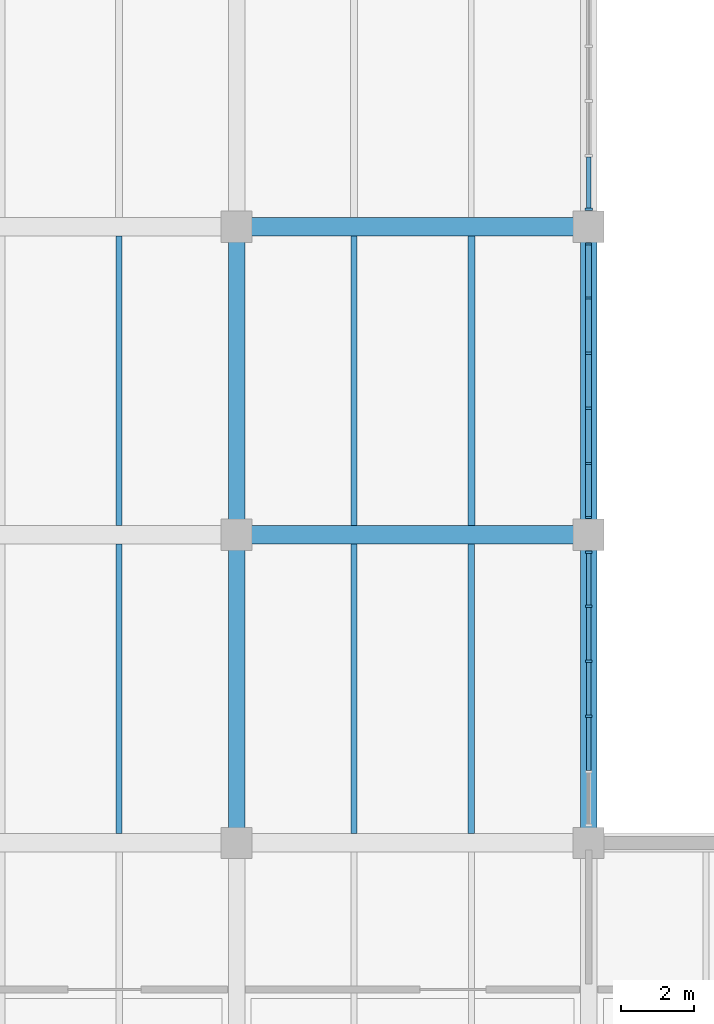
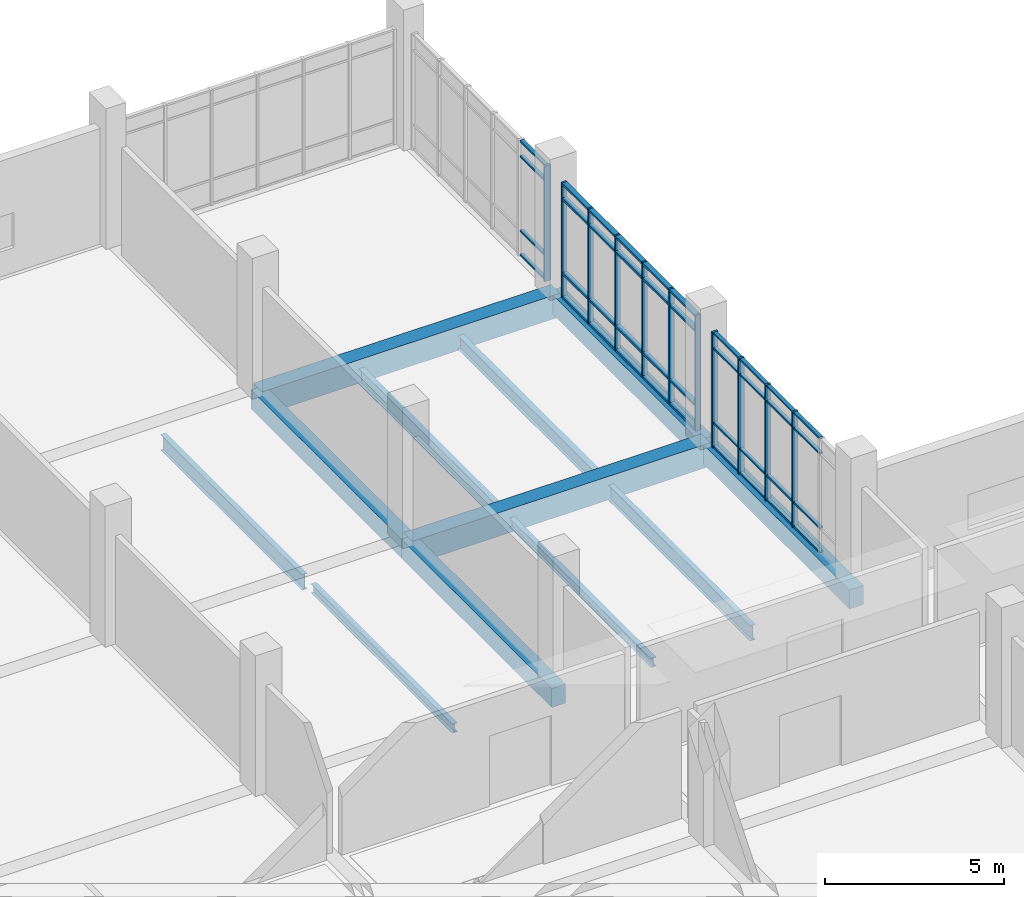
# One storey, part 39 of 152: 51 members, 12 beams, 3 elements without a shape of their own.
"""IFC4 building model written with IfcOpenShell, lengths in metres."""

from ifc_helpers import new_model, si_unit, direction, frame, origin, origin_2d, place, context, subcontext, project, spatial, rectangle, i_section, extrude, material, material_profile, profile_set, type_object, element, aggregate, save


model = new_model("IFC4")

# Units and contexts
model_context = context("Model", 3, precision=1e-05, world=origin(), true_north=direction((0.0, 1.0)))
body_context = subcontext(model_context, "Body", "Model", "MODEL_VIEW")
ifc_project = project(units=[si_unit("LENGTHUNIT", "METRE"), si_unit("AREAUNIT", "SQUARE_METRE"), si_unit("VOLUMEUNIT", "CUBIC_METRE"), si_unit("PLANEANGLEUNIT", "RADIAN"), si_unit("MASSUNIT", "GRAM", prefix="KILO")], contexts=[model_context])

# Site, building, storey
site_placement = place(None, origin())
site = spatial("IfcSite", under=ifc_project, at=site_placement, CompositionType="ELEMENT")
building_placement = place(site_placement, origin())
building = spatial("IfcBuilding", under=site, at=building_placement, Name="Oolite Switchyard Hospital", CompositionType="ELEMENT")
storey_placement = place(building_placement, frame((0.0, 0.0, 5.10009765625)))
storey = spatial("IfcBuildingStorey", under=building, at=storey_placement, Name="L01", CompositionType="ELEMENT", Elevation=5.10009765625)

# Beams
ifc_material_1 = material(Name="Concrete C40/50", Category="concrete")
ifc_material_profile_1 = material_profile(ifc_material_1, rectangle(XDim=0.449951171875, YDim=0.64990234375, at=origin_2d()), Name="RCB450X650")
ifc_profile_set_1 = profile_set([ifc_material_profile_1], Name="Concrete C40/50")
beam_type_1 = type_object("IfcBeamType", Name="BM-RC450X650", PredefinedType="BEAM", material=ifc_profile_set_1)
beam_1_placement = place(storey_placement, frame((67.199951171875, 109.199951171875, -0.3251953125), z_axis=(0.0, 1.0, 0.0), x_axis=(-1.0, 0.0, 0.0)))
element("IfcBeam", 1, at=beam_1_placement, inside=storey, type_object=beam_type_1, Name="L01 Y-Girder 404", PredefinedType="BEAM", context=body_context, shape_type="SweptSolid", body=[
    extrude(rectangle(XDim=0.449951171875, YDim=0.64990234375, at=origin_2d()), origin(), (0.0, 0.0, 1.0), 8.400146484375),
])
beam_2_placement = place(storey_placement, frame((67.199951171875, 117.60009765625, -0.3251953125), z_axis=(0.0, 1.0, 0.0), x_axis=(-1.0, 0.0, 0.0)))
element("IfcBeam", 2, at=beam_2_placement, inside=storey, type_object=beam_type_1, Name="L01 Y-Girder 405", PredefinedType="BEAM", context=body_context, shape_type="SweptSolid", body=[
    extrude(rectangle(XDim=0.449951171875, YDim=0.64990234375, at=origin_2d()), origin(), (0.0, 0.0, 1.0), 8.39990234375),
])
beam_3_placement = place(storey_placement, frame((76.800048828125, 109.199951171875, -0.3251953125), z_axis=(0.0, 1.0, 0.0), x_axis=(-1.0, 0.0, 0.0)))
element("IfcBeam", 3, at=beam_3_placement, inside=storey, type_object=beam_type_1, Name="L01 Y-Girder 410", PredefinedType="BEAM", context=body_context, shape_type="SweptSolid", body=[
    extrude(rectangle(XDim=0.449951171875, YDim=0.64990234375, at=origin_2d()), origin(), (0.0, 0.0, 1.0), 8.400146484375),
])
beam_4_placement = place(storey_placement, frame((76.800048828125, 117.60009765625, -0.3251953125), z_axis=(0.0, 1.0, 0.0), x_axis=(-1.0, 0.0, 0.0)))
element("IfcBeam", 4, at=beam_4_placement, inside=storey, type_object=beam_type_1, Name="L01 Y-Girder 411", PredefinedType="BEAM", context=body_context, shape_type="SweptSolid", body=[
    extrude(rectangle(XDim=0.449951171875, YDim=0.64990234375, at=origin_2d()), origin(), (0.0, 0.0, 1.0), 8.39990234375),
])
ifc_material_profile_2 = material_profile(ifc_material_1, rectangle(XDim=0.5, YDim=0.800048828125, at=origin_2d()), Name="RCB500X800")
ifc_profile_set_2 = profile_set([ifc_material_profile_2], Name="Concrete C40/50")
beam_type_2 = type_object("IfcBeamType", Name="BM-RC500X800", PredefinedType="BEAM", material=ifc_profile_set_2)
for number, where, z_axis, x_axis, name in (
    (5, (67.199951171875, 117.60009765625, -0.400146484375), (1.0, 0.0, 0.0), (0.0, 1.0, 0.0), "L01 X-Girder 246"),
    (6, (67.199951171875, 126.0, -0.400146484375), (1.0, 0.0, 0.0), (0.0, 1.0, 0.0), "L01 X-Girder 262"),
):
    element("IfcBeam", number, at=place(storey_placement, frame(where, z_axis=z_axis, x_axis=x_axis)), inside=storey, type_object=beam_type_2, Name=name, PredefinedType="BEAM", context=body_context, shape_type="SweptSolid", body=[
        extrude(rectangle(XDim=0.5, YDim=0.800048828125, at=origin_2d()), origin(), (0.0, 0.0, 1.0), 9.60009765625),
    ])
ifc_material_2 = material(Name="Steel ASTM A992 Grade 50", Category="steel")
ifc_material_profile_3 = material_profile(ifc_material_2, i_section(OverallWidth=0.1650390625, OverallDepth=0.31005859375, WebThickness=0.006103515625, FlangeThickness=0.010009765625, at=origin_2d()), Name="W12X26")
ifc_profile_set_3 = profile_set([ifc_material_profile_3], Name="Steel ASTM A992 Grade 50")
beam_type_3 = type_object("IfcBeamType", Name="BM-W12X26", PredefinedType="JOIST", material=ifc_profile_set_3)
for number, where, z_axis, x_axis, name in (
    (7, (64.0, 109.449951171875, -0.455078125), (0.0, 1.0, 0.0), (-1.0, 0.0, 0.0), "L01 Secondary Steel Joist 749"),
    (8, (70.39990234375, 109.449951171875, -0.455078125), (0.0, 1.0, 0.0), (-1.0, 0.0, 0.0), "L01 Secondary Steel Joist 758"),
):
    element("IfcBeam", number, at=place(storey_placement, frame(where, z_axis=z_axis, x_axis=x_axis)), inside=storey, type_object=beam_type_3, Name=name, PredefinedType="JOIST", context=body_context, shape_type="SweptSolid", body=[
        extrude(i_section(OverallWidth=0.1650390625, OverallDepth=0.31005859375, WebThickness=0.006103515625, FlangeThickness=0.010009765625, at=origin_2d()), origin(), (0.0, 0.0, 1.0), 7.900146484375),
    ])
ifc_material_profile_4 = material_profile(ifc_material_2, i_section(OverallWidth=0.19091796875, OverallDepth=0.4599609375, WebThickness=0.010009765625, FlangeThickness=0.01611328125, at=origin_2d()), Name="W18X55")
ifc_profile_set_4 = profile_set([ifc_material_profile_4], Name="Steel ASTM A992 Grade 50")
beam_type_4 = type_object("IfcBeamType", Name="BM-W18X55", PredefinedType="JOIST", material=ifc_profile_set_4)
beam_5_placement = place(storey_placement, frame((73.60009765625, 117.85009765625, -0.530029296875), z_axis=(0.0, 1.0, 0.0), x_axis=(-1.0, 0.0, 0.0)))
element("IfcBeam", 9, at=beam_5_placement, inside=storey, type_object=beam_type_4, Name="L01 Secondary Steel Joist 761", PredefinedType="JOIST", context=body_context, shape_type="SweptSolid", body=[
    extrude(i_section(OverallWidth=0.19091796875, OverallDepth=0.4599609375, WebThickness=0.010009765625, FlangeThickness=0.01611328125, at=origin_2d()), origin(), (0.0, 0.0, 1.0), 7.89990234375),
])
ifc_material_profile_5 = material_profile(ifc_material_2, i_section(OverallWidth=0.166015625, OverallDepth=0.529052734375, WebThickness=0.010009765625, FlangeThickness=0.013916015625, at=origin_2d()), Name="W21X50")
ifc_profile_set_5 = profile_set([ifc_material_profile_5], Name="Steel ASTM A992 Grade 50")
beam_type_5 = type_object("IfcBeamType", Name="BM-W21X50", PredefinedType="JOIST", material=ifc_profile_set_5)
beam_6_placement = place(storey_placement, frame((64.0, 117.85009765625, -0.564208984375), z_axis=(0.0, 1.0, 0.0), x_axis=(-1.0, 0.0, 0.0)))
element("IfcBeam", 10, at=beam_6_placement, inside=storey, type_object=beam_type_5, Name="L01 Secondary Steel Joist 751", PredefinedType="JOIST", context=body_context, shape_type="SweptSolid", body=[
    extrude(i_section(OverallWidth=0.166015625, OverallDepth=0.529052734375, WebThickness=0.010009765625, FlangeThickness=0.013916015625, at=origin_2d()), origin(), (0.0, 0.0, 1.0), 7.89990234375),
])
beam_7_placement = place(storey_placement, frame((73.60009765625, 109.449951171875, -0.564208984375), z_axis=(0.0, 1.0, 0.0), x_axis=(-1.0, 0.0, 0.0)))
element("IfcBeam", 11, at=beam_7_placement, inside=storey, type_object=beam_type_5, Name="L01 Secondary Steel Joist 759", PredefinedType="JOIST", context=body_context, shape_type="SweptSolid", body=[
    extrude(i_section(OverallWidth=0.166015625, OverallDepth=0.529052734375, WebThickness=0.010009765625, FlangeThickness=0.013916015625, at=origin_2d()), origin(), (0.0, 0.0, 1.0), 7.900146484375),
])
beam_8_placement = place(storey_placement, frame((70.39990234375, 117.85009765625, -0.564208984375), z_axis=(0.0, 1.0, 0.0), x_axis=(-1.0, 0.0, 0.0)))
element("IfcBeam", 12, at=beam_8_placement, inside=storey, type_object=beam_type_5, Name="L01 Secondary Steel Joist 760", PredefinedType="JOIST", context=body_context, shape_type="SweptSolid", body=[
    extrude(i_section(OverallWidth=0.166015625, OverallDepth=0.529052734375, WebThickness=0.010009765625, FlangeThickness=0.013916015625, at=origin_2d()), origin(), (0.0, 0.0, 1.0), 7.89990234375),
])

# Curtain wall, members
ifc_material_3 = material(Name="Thermally broken aluminum frame with laminated impact glazing", Category="aluminium")
curtain_wall_type = type_object("IfcCurtainWallType", Name="CW-UNIT-84X48", PredefinedType="USERDEFINED", material=ifc_material_3)
curtain_wall_1_placement = place(storey_placement, origin())
curtain_wall_1 = element("IfcCurtainWall", 13, at=curtain_wall_1_placement, inside=storey, type_object=curtain_wall_type, Name="L01 Unitised Curtain Wall 179", ObjectType="UNITISED", PredefinedType="USERDEFINED")
ifc_material_4 = material(Name="Aluminium 6063-T6", Category="aluminium")
ifc_material_profile_6 = material_profile(ifc_material_4, rectangle(XDim=0.159912109375, YDim=0.06005859375, at=origin_2d()), Name="CWM60X160")
ifc_profile_set_6 = profile_set([ifc_material_profile_6], Name="Aluminium 6063-T6")
member_type_1 = type_object("IfcMemberType", Name="CW-MUL-180", PredefinedType="MULLION", material=ifc_profile_set_6)
member_1_placement = place(storey_placement, frame((76.800048828125, 125.530029296875, 0.0), z_axis=(0.0, 0.0, 1.0), x_axis=(1.0, 0.0, 0.0)))
member_1 = element("IfcMember", 14, at=member_1_placement, type_object=member_type_1, Name="CW-07 mullion 1", PredefinedType="MULLION", context=body_context, shape_type="SweptSolid", body=[
    extrude(rectangle(XDim=0.159912109375, YDim=0.06005859375, at=origin_2d()), origin(), (0.0, 0.0, 1.0), 3.93994140625),
])
member_2_placement = place(storey_placement, frame((76.800048828125, 124.055908203125, 0.0), z_axis=(0.0, 0.0, 1.0), x_axis=(1.0, 0.0, 0.0)))
member_2 = element("IfcMember", 15, at=member_2_placement, type_object=member_type_1, Name="CW-07 mullion 2", PredefinedType="MULLION", context=body_context, shape_type="SweptSolid", body=[
    extrude(rectangle(XDim=0.159912109375, YDim=0.06005859375, at=origin_2d()), origin(), (0.0, 0.0, 1.0), 3.93994140625),
])
member_3_placement = place(storey_placement, frame((76.800048828125, 122.552001953125, 0.0), z_axis=(0.0, 0.0, 1.0), x_axis=(1.0, 0.0, 0.0)))
member_3 = element("IfcMember", 16, at=member_3_placement, type_object=member_type_1, Name="CW-07 mullion 3", PredefinedType="MULLION", context=body_context, shape_type="SweptSolid", body=[
    extrude(rectangle(XDim=0.159912109375, YDim=0.06005859375, at=origin_2d()), origin(), (0.0, 0.0, 1.0), 3.93994140625),
])
member_4_placement = place(storey_placement, frame((76.800048828125, 121.048095703125, 0.0), z_axis=(0.0, 0.0, 1.0), x_axis=(1.0, 0.0, 0.0)))
member_4 = element("IfcMember", 17, at=member_4_placement, type_object=member_type_1, Name="CW-07 mullion 4", PredefinedType="MULLION", context=body_context, shape_type="SweptSolid", body=[
    extrude(rectangle(XDim=0.159912109375, YDim=0.06005859375, at=origin_2d()), origin(), (0.0, 0.0, 1.0), 3.93994140625),
])
member_5_placement = place(storey_placement, frame((76.800048828125, 119.5439453125, 0.0), z_axis=(0.0, 0.0, 1.0), x_axis=(1.0, 0.0, 0.0)))
member_5 = element("IfcMember", 18, at=member_5_placement, type_object=member_type_1, Name="CW-07 mullion 5", PredefinedType="MULLION", context=body_context, shape_type="SweptSolid", body=[
    extrude(rectangle(XDim=0.159912109375, YDim=0.06005859375, at=origin_2d()), origin(), (0.0, 0.0, 1.0), 3.93994140625),
])
member_6_placement = place(storey_placement, frame((76.800048828125, 118.070068359375, 0.0), z_axis=(0.0, 0.0, 1.0), x_axis=(1.0, 0.0, 0.0)))
member_6 = element("IfcMember", 19, at=member_6_placement, type_object=member_type_1, Name="CW-07 mullion 6", PredefinedType="MULLION", context=body_context, shape_type="SweptSolid", body=[
    extrude(rectangle(XDim=0.159912109375, YDim=0.06005859375, at=origin_2d()), origin(), (0.0, 0.0, 1.0), 3.93994140625),
])

curtain_wall_2_placement = place(storey_placement, origin())
curtain_wall_2 = element("IfcCurtainWall", 20, at=curtain_wall_2_placement, inside=storey, type_object=curtain_wall_type, Name="L01 Unitised Curtain Wall 180", ObjectType="UNITISED", PredefinedType="USERDEFINED")
ifc_material_profile_7 = material_profile(ifc_material_4, rectangle(XDim=0.179931640625, YDim=0.070068359375, at=origin_2d()), Name="CWM70X180")
ifc_profile_set_7 = profile_set([ifc_material_profile_7], Name="Aluminium 6063-T6")
member_type_2 = type_object("IfcMemberType", Name="CW-MUL-220", PredefinedType="MULLION", material=ifc_profile_set_7)
member_7_placement = place(storey_placement, frame((76.800048828125, 117.125, 0.0), z_axis=(0.0, 0.0, 1.0), x_axis=(1.0, 0.0, 0.0)))
member_7 = element("IfcMember", 21, at=member_7_placement, type_object=member_type_2, Name="CW-07 mullion 1", PredefinedType="MULLION", context=body_context, shape_type="SweptSolid", body=[
    extrude(rectangle(XDim=0.179931640625, YDim=0.070068359375, at=origin_2d()), origin(), (0.0, 0.0, 1.0), 3.93994140625),
])
member_8_placement = place(storey_placement, frame((76.800048828125, 115.656005859375, 0.0), z_axis=(0.0, 0.0, 1.0), x_axis=(1.0, 0.0, 0.0)))
member_8 = element("IfcMember", 22, at=member_8_placement, type_object=member_type_2, Name="CW-07 mullion 2", PredefinedType="MULLION", context=body_context, shape_type="SweptSolid", body=[
    extrude(rectangle(XDim=0.179931640625, YDim=0.070068359375, at=origin_2d()), origin(), (0.0, 0.0, 1.0), 3.93994140625),
])
member_9_placement = place(storey_placement, frame((76.800048828125, 114.152099609375, 0.0), z_axis=(0.0, 0.0, 1.0), x_axis=(1.0, 0.0, 0.0)))
member_9 = element("IfcMember", 23, at=member_9_placement, type_object=member_type_2, Name="CW-07 mullion 3", PredefinedType="MULLION", context=body_context, shape_type="SweptSolid", body=[
    extrude(rectangle(XDim=0.179931640625, YDim=0.070068359375, at=origin_2d()), origin(), (0.0, 0.0, 1.0), 3.93994140625),
])
member_10_placement = place(storey_placement, frame((76.800048828125, 112.64794921875, 0.0), z_axis=(0.0, 0.0, 1.0), x_axis=(1.0, 0.0, 0.0)))
member_10 = element("IfcMember", 24, at=member_10_placement, type_object=member_type_2, Name="CW-07 mullion 4", PredefinedType="MULLION", context=body_context, shape_type="SweptSolid", body=[
    extrude(rectangle(XDim=0.179931640625, YDim=0.070068359375, at=origin_2d()), origin(), (0.0, 0.0, 1.0), 3.93994140625),
])

curtain_wall_3_placement = place(storey_placement, origin())
curtain_wall_3 = element("IfcCurtainWall", 25, at=curtain_wall_3_placement, inside=storey, type_object=curtain_wall_type, Name="L01 Unitised Curtain Wall 178", ObjectType="UNITISED", PredefinedType="USERDEFINED")
ifc_material_profile_8 = material_profile(ifc_material_4, rectangle(XDim=0.199951171875, YDim=0.074951171875, at=origin_2d()), Name="CWM75X200")
ifc_profile_set_8 = profile_set([ifc_material_profile_8], Name="Aluminium 6063-T6")
member_type_3 = type_object("IfcMemberType", Name="CW-MUL-260", PredefinedType="MULLION", material=ifc_profile_set_8)
member_11_placement = place(storey_placement, frame((76.800048828125, 126.4775390625, 0.0), z_axis=(0.0, 0.0, 1.0), x_axis=(1.0, 0.0, 0.0)))
member_11 = element("IfcMember", 26, at=member_11_placement, type_object=member_type_3, Name="CW-07 mullion 6", PredefinedType="MULLION", context=body_context, shape_type="SweptSolid", body=[
    extrude(rectangle(XDim=0.199951171875, YDim=0.074951171875, at=origin_2d()), origin(), (0.0, 0.0, 1.0), 3.93994140625),
])
ifc_material_profile_9 = material_profile(ifc_material_4, rectangle(XDim=0.1201171875, YDim=0.06005859375, at=origin_2d()), Name="CWT60X120")
ifc_profile_set_9 = profile_set([ifc_material_profile_9], Name="Aluminium 6063-T6")
member_type_4 = type_object("IfcMemberType", Name="CW-TRN-150", PredefinedType="USERDEFINED", material=ifc_profile_set_9)
member_12_placement = place(storey_placement, frame((76.800048828125, 127.896484375, 0.02978515625), z_axis=(0.0, -1.0, 0.0), x_axis=(1.0, 0.0, 0.0)))
member_12 = element("IfcMember", 27, at=member_12_placement, type_object=member_type_4, Name="CW-07 transom 5.1", ObjectType="TRANSOM", PredefinedType="USERDEFINED", context=body_context, shape_type="SweptSolid", body=[
    extrude(rectangle(XDim=0.1201171875, YDim=0.06005859375, at=origin_2d()), origin(), (0.0, 0.0, 1.0), 1.381591796875),
])
member_13_placement = place(storey_placement, frame((76.800048828125, 127.896484375, 0.849853515625), z_axis=(0.0, -1.0, 0.0), x_axis=(1.0, 0.0, 0.0)))
member_13 = element("IfcMember", 28, at=member_13_placement, type_object=member_type_4, Name="CW-07 transom 5.2", ObjectType="TRANSOM", PredefinedType="USERDEFINED", context=body_context, shape_type="SweptSolid", body=[
    extrude(rectangle(XDim=0.1201171875, YDim=0.06005859375, at=origin_2d()), origin(), (0.0, 0.0, 1.0), 1.381591796875),
])
member_14_placement = place(storey_placement, frame((76.800048828125, 127.896484375, 3.389892578125), z_axis=(0.0, -1.0, 0.0), x_axis=(1.0, 0.0, 0.0)))
member_14 = element("IfcMember", 29, at=member_14_placement, type_object=member_type_4, Name="CW-07 transom 5.3", ObjectType="TRANSOM", PredefinedType="USERDEFINED", context=body_context, shape_type="SweptSolid", body=[
    extrude(rectangle(XDim=0.1201171875, YDim=0.06005859375, at=origin_2d()), origin(), (0.0, 0.0, 1.0), 1.381591796875),
])
member_15_placement = place(storey_placement, frame((76.800048828125, 127.896484375, 3.909912109375), z_axis=(0.0, -1.0, 0.0), x_axis=(1.0, 0.0, 0.0)))
member_15 = element("IfcMember", 30, at=member_15_placement, type_object=member_type_4, Name="CW-07 transom 5.4", ObjectType="TRANSOM", PredefinedType="USERDEFINED", context=body_context, shape_type="SweptSolid", body=[
    extrude(rectangle(XDim=0.1201171875, YDim=0.06005859375, at=origin_2d()), origin(), (0.0, 0.0, 1.0), 1.381591796875),
])
aggregate(curtain_wall_3, [member_11, member_12, member_13, member_14, member_15])

# Member
member_16_placement = place(storey_placement, frame((76.800048828125, 117.090087890625, 0.02978515625), z_axis=(0.0, -1.0, 0.0), x_axis=(1.0, 0.0, 0.0)))
member_16 = element("IfcMember", 31, at=member_16_placement, type_object=member_type_4, Name="CW-07 transom 1.1", ObjectType="TRANSOM", PredefinedType="USERDEFINED", context=body_context, shape_type="SweptSolid", body=[
    extrude(rectangle(XDim=0.1201171875, YDim=0.06005859375, at=origin_2d()), origin(), (0.0, 0.0, 1.0), 1.399169921875),
])

member_17_placement = place(storey_placement, frame((76.800048828125, 117.090087890625, 0.849853515625), z_axis=(0.0, -1.0, 0.0), x_axis=(1.0, 0.0, 0.0)))
member_17 = element("IfcMember", 32, at=member_17_placement, type_object=member_type_4, Name="CW-07 transom 1.2", ObjectType="TRANSOM", PredefinedType="USERDEFINED", context=body_context, shape_type="SweptSolid", body=[
    extrude(rectangle(XDim=0.1201171875, YDim=0.06005859375, at=origin_2d()), origin(), (0.0, 0.0, 1.0), 1.399169921875),
])

member_18_placement = place(storey_placement, frame((76.800048828125, 117.090087890625, 3.389892578125), z_axis=(0.0, -1.0, 0.0), x_axis=(1.0, 0.0, 0.0)))
member_18 = element("IfcMember", 33, at=member_18_placement, type_object=member_type_4, Name="CW-07 transom 1.3", ObjectType="TRANSOM", PredefinedType="USERDEFINED", context=body_context, shape_type="SweptSolid", body=[
    extrude(rectangle(XDim=0.1201171875, YDim=0.06005859375, at=origin_2d()), origin(), (0.0, 0.0, 1.0), 1.399169921875),
])

member_19_placement = place(storey_placement, frame((76.800048828125, 117.090087890625, 3.909912109375), z_axis=(0.0, -1.0, 0.0), x_axis=(1.0, 0.0, 0.0)))
member_19 = element("IfcMember", 34, at=member_19_placement, type_object=member_type_4, Name="CW-07 transom 1.4", ObjectType="TRANSOM", PredefinedType="USERDEFINED", context=body_context, shape_type="SweptSolid", body=[
    extrude(rectangle(XDim=0.1201171875, YDim=0.06005859375, at=origin_2d()), origin(), (0.0, 0.0, 1.0), 1.399169921875),
])

member_20_placement = place(storey_placement, frame((76.800048828125, 115.62109375, 0.02978515625), z_axis=(0.0, -1.0, 0.0), x_axis=(1.0, 0.0, 0.0)))
member_20 = element("IfcMember", 35, at=member_20_placement, type_object=member_type_4, Name="CW-07 transom 2.1", ObjectType="TRANSOM", PredefinedType="USERDEFINED", context=body_context, shape_type="SweptSolid", body=[
    extrude(rectangle(XDim=0.1201171875, YDim=0.06005859375, at=origin_2d()), origin(), (0.0, 0.0, 1.0), 1.43408203125),
])

member_21_placement = place(storey_placement, frame((76.800048828125, 115.62109375, 0.849853515625), z_axis=(0.0, -1.0, 0.0), x_axis=(1.0, 0.0, 0.0)))
member_21 = element("IfcMember", 36, at=member_21_placement, type_object=member_type_4, Name="CW-07 transom 2.2", ObjectType="TRANSOM", PredefinedType="USERDEFINED", context=body_context, shape_type="SweptSolid", body=[
    extrude(rectangle(XDim=0.1201171875, YDim=0.06005859375, at=origin_2d()), origin(), (0.0, 0.0, 1.0), 1.43408203125),
])

member_22_placement = place(storey_placement, frame((76.800048828125, 115.62109375, 3.389892578125), z_axis=(0.0, -1.0, 0.0), x_axis=(1.0, 0.0, 0.0)))
member_22 = element("IfcMember", 37, at=member_22_placement, type_object=member_type_4, Name="CW-07 transom 2.3", ObjectType="TRANSOM", PredefinedType="USERDEFINED", context=body_context, shape_type="SweptSolid", body=[
    extrude(rectangle(XDim=0.1201171875, YDim=0.06005859375, at=origin_2d()), origin(), (0.0, 0.0, 1.0), 1.43408203125),
])

member_23_placement = place(storey_placement, frame((76.800048828125, 115.62109375, 3.909912109375), z_axis=(0.0, -1.0, 0.0), x_axis=(1.0, 0.0, 0.0)))
member_23 = element("IfcMember", 38, at=member_23_placement, type_object=member_type_4, Name="CW-07 transom 2.4", ObjectType="TRANSOM", PredefinedType="USERDEFINED", context=body_context, shape_type="SweptSolid", body=[
    extrude(rectangle(XDim=0.1201171875, YDim=0.06005859375, at=origin_2d()), origin(), (0.0, 0.0, 1.0), 1.43408203125),
])

member_24_placement = place(storey_placement, frame((76.800048828125, 114.116943359375, 0.02978515625), z_axis=(0.0, -1.0, 0.0), x_axis=(1.0, 0.0, 0.0)))
member_24 = element("IfcMember", 39, at=member_24_placement, type_object=member_type_4, Name="CW-07 transom 3.1", ObjectType="TRANSOM", PredefinedType="USERDEFINED", context=body_context, shape_type="SweptSolid", body=[
    extrude(rectangle(XDim=0.1201171875, YDim=0.06005859375, at=origin_2d()), origin(), (0.0, 0.0, 1.0), 1.433837890625),
])

member_25_placement = place(storey_placement, frame((76.800048828125, 114.116943359375, 0.849853515625), z_axis=(0.0, -1.0, 0.0), x_axis=(1.0, 0.0, 0.0)))
member_25 = element("IfcMember", 40, at=member_25_placement, type_object=member_type_4, Name="CW-07 transom 3.2", ObjectType="TRANSOM", PredefinedType="USERDEFINED", context=body_context, shape_type="SweptSolid", body=[
    extrude(rectangle(XDim=0.1201171875, YDim=0.06005859375, at=origin_2d()), origin(), (0.0, 0.0, 1.0), 1.433837890625),
])

member_26_placement = place(storey_placement, frame((76.800048828125, 114.116943359375, 3.389892578125), z_axis=(0.0, -1.0, 0.0), x_axis=(1.0, 0.0, 0.0)))
member_26 = element("IfcMember", 41, at=member_26_placement, type_object=member_type_4, Name="CW-07 transom 3.3", ObjectType="TRANSOM", PredefinedType="USERDEFINED", context=body_context, shape_type="SweptSolid", body=[
    extrude(rectangle(XDim=0.1201171875, YDim=0.06005859375, at=origin_2d()), origin(), (0.0, 0.0, 1.0), 1.433837890625),
])

member_27_placement = place(storey_placement, frame((76.800048828125, 114.116943359375, 3.909912109375), z_axis=(0.0, -1.0, 0.0), x_axis=(1.0, 0.0, 0.0)))
member_27 = element("IfcMember", 42, at=member_27_placement, type_object=member_type_4, Name="CW-07 transom 3.4", ObjectType="TRANSOM", PredefinedType="USERDEFINED", context=body_context, shape_type="SweptSolid", body=[
    extrude(rectangle(XDim=0.1201171875, YDim=0.06005859375, at=origin_2d()), origin(), (0.0, 0.0, 1.0), 1.433837890625),
])

member_28_placement = place(storey_placement, frame((76.800048828125, 112.613037109375, 0.02978515625), z_axis=(0.0, -1.0, 0.0), x_axis=(1.0, 0.0, 0.0)))
member_28 = element("IfcMember", 43, at=member_28_placement, type_object=member_type_4, Name="CW-07 transom 4.1", ObjectType="TRANSOM", PredefinedType="USERDEFINED", context=body_context, shape_type="SweptSolid", body=[
    extrude(rectangle(XDim=0.1201171875, YDim=0.06005859375, at=origin_2d()), origin(), (0.0, 0.0, 1.0), 1.43408203125),
])

member_29_placement = place(storey_placement, frame((76.800048828125, 112.613037109375, 0.849853515625), z_axis=(0.0, -1.0, 0.0), x_axis=(1.0, 0.0, 0.0)))
member_29 = element("IfcMember", 44, at=member_29_placement, type_object=member_type_4, Name="CW-07 transom 4.2", ObjectType="TRANSOM", PredefinedType="USERDEFINED", context=body_context, shape_type="SweptSolid", body=[
    extrude(rectangle(XDim=0.1201171875, YDim=0.06005859375, at=origin_2d()), origin(), (0.0, 0.0, 1.0), 1.43408203125),
])

member_30_placement = place(storey_placement, frame((76.800048828125, 112.613037109375, 3.389892578125), z_axis=(0.0, -1.0, 0.0), x_axis=(1.0, 0.0, 0.0)))
member_30 = element("IfcMember", 45, at=member_30_placement, type_object=member_type_4, Name="CW-07 transom 4.3", ObjectType="TRANSOM", PredefinedType="USERDEFINED", context=body_context, shape_type="SweptSolid", body=[
    extrude(rectangle(XDim=0.1201171875, YDim=0.06005859375, at=origin_2d()), origin(), (0.0, 0.0, 1.0), 1.43408203125),
])

member_31_placement = place(storey_placement, frame((76.800048828125, 112.613037109375, 3.909912109375), z_axis=(0.0, -1.0, 0.0), x_axis=(1.0, 0.0, 0.0)))
member_31 = element("IfcMember", 46, at=member_31_placement, type_object=member_type_4, Name="CW-07 transom 4.4", ObjectType="TRANSOM", PredefinedType="USERDEFINED", context=body_context, shape_type="SweptSolid", body=[
    extrude(rectangle(XDim=0.1201171875, YDim=0.06005859375, at=origin_2d()), origin(), (0.0, 0.0, 1.0), 1.43408203125),
])

aggregate(curtain_wall_2, [member_7, member_8, member_9, member_10, member_16, member_17, member_18, member_19, member_20, member_21, member_22, member_23, member_24, member_25, member_26, member_27, member_28, member_29, member_30, member_31])

ifc_material_profile_10 = material_profile(ifc_material_4, rectangle(XDim=0.159912109375, YDim=0.074951171875, at=origin_2d()), Name="CWT75X160")
ifc_profile_set_10 = profile_set([ifc_material_profile_10], Name="Aluminium 6063-T6")
member_type_5 = type_object("IfcMemberType", Name="CW-TRN-180", PredefinedType="USERDEFINED", material=ifc_profile_set_10)
member_32_placement = place(storey_placement, frame((76.800048828125, 125.5, 0.037353515625), z_axis=(0.0, -1.0, 0.0), x_axis=(1.0, 0.0, 0.0)))
member_32 = element("IfcMember", 47, at=member_32_placement, type_object=member_type_5, Name="CW-07 transom 1.1", ObjectType="TRANSOM", PredefinedType="USERDEFINED", context=body_context, shape_type="SweptSolid", body=[
    extrude(rectangle(XDim=0.159912109375, YDim=0.074951171875, at=origin_2d()), origin(), (0.0, 0.0, 1.0), 1.4140625),
])

member_33_placement = place(storey_placement, frame((76.800048828125, 125.5, 0.849853515625), z_axis=(0.0, -1.0, 0.0), x_axis=(1.0, 0.0, 0.0)))
member_33 = element("IfcMember", 48, at=member_33_placement, type_object=member_type_5, Name="CW-07 transom 1.2", ObjectType="TRANSOM", PredefinedType="USERDEFINED", context=body_context, shape_type="SweptSolid", body=[
    extrude(rectangle(XDim=0.159912109375, YDim=0.074951171875, at=origin_2d()), origin(), (0.0, 0.0, 1.0), 1.4140625),
])

member_34_placement = place(storey_placement, frame((76.800048828125, 125.5, 3.389892578125), z_axis=(0.0, -1.0, 0.0), x_axis=(1.0, 0.0, 0.0)))
member_34 = element("IfcMember", 49, at=member_34_placement, type_object=member_type_5, Name="CW-07 transom 1.3", ObjectType="TRANSOM", PredefinedType="USERDEFINED", context=body_context, shape_type="SweptSolid", body=[
    extrude(rectangle(XDim=0.159912109375, YDim=0.074951171875, at=origin_2d()), origin(), (0.0, 0.0, 1.0), 1.4140625),
])

member_35_placement = place(storey_placement, frame((76.800048828125, 125.5, 3.90234375), z_axis=(0.0, -1.0, 0.0), x_axis=(1.0, 0.0, 0.0)))
member_35 = element("IfcMember", 50, at=member_35_placement, type_object=member_type_5, Name="CW-07 transom 1.4", ObjectType="TRANSOM", PredefinedType="USERDEFINED", context=body_context, shape_type="SweptSolid", body=[
    extrude(rectangle(XDim=0.159912109375, YDim=0.074951171875, at=origin_2d()), origin(), (0.0, 0.0, 1.0), 1.4140625),
])

member_36_placement = place(storey_placement, frame((76.800048828125, 124.02587890625, 0.037353515625), z_axis=(0.0, -1.0, 0.0), x_axis=(1.0, 0.0, 0.0)))
member_36 = element("IfcMember", 51, at=member_36_placement, type_object=member_type_5, Name="CW-07 transom 2.1", ObjectType="TRANSOM", PredefinedType="USERDEFINED", context=body_context, shape_type="SweptSolid", body=[
    extrude(rectangle(XDim=0.159912109375, YDim=0.074951171875, at=origin_2d()), origin(), (0.0, 0.0, 1.0), 1.44384765625),
])

member_37_placement = place(storey_placement, frame((76.800048828125, 124.02587890625, 0.849853515625), z_axis=(0.0, -1.0, 0.0), x_axis=(1.0, 0.0, 0.0)))
member_37 = element("IfcMember", 52, at=member_37_placement, type_object=member_type_5, Name="CW-07 transom 2.2", ObjectType="TRANSOM", PredefinedType="USERDEFINED", context=body_context, shape_type="SweptSolid", body=[
    extrude(rectangle(XDim=0.159912109375, YDim=0.074951171875, at=origin_2d()), origin(), (0.0, 0.0, 1.0), 1.44384765625),
])

member_38_placement = place(storey_placement, frame((76.800048828125, 124.02587890625, 3.389892578125), z_axis=(0.0, -1.0, 0.0), x_axis=(1.0, 0.0, 0.0)))
member_38 = element("IfcMember", 53, at=member_38_placement, type_object=member_type_5, Name="CW-07 transom 2.3", ObjectType="TRANSOM", PredefinedType="USERDEFINED", context=body_context, shape_type="SweptSolid", body=[
    extrude(rectangle(XDim=0.159912109375, YDim=0.074951171875, at=origin_2d()), origin(), (0.0, 0.0, 1.0), 1.44384765625),
])

member_39_placement = place(storey_placement, frame((76.800048828125, 124.02587890625, 3.90234375), z_axis=(0.0, -1.0, 0.0), x_axis=(1.0, 0.0, 0.0)))
member_39 = element("IfcMember", 54, at=member_39_placement, type_object=member_type_5, Name="CW-07 transom 2.4", ObjectType="TRANSOM", PredefinedType="USERDEFINED", context=body_context, shape_type="SweptSolid", body=[
    extrude(rectangle(XDim=0.159912109375, YDim=0.074951171875, at=origin_2d()), origin(), (0.0, 0.0, 1.0), 1.44384765625),
])

member_40_placement = place(storey_placement, frame((76.800048828125, 122.52197265625, 0.037353515625), z_axis=(0.0, -1.0, 0.0), x_axis=(1.0, 0.0, 0.0)))
member_40 = element("IfcMember", 55, at=member_40_placement, type_object=member_type_5, Name="CW-07 transom 3.1", ObjectType="TRANSOM", PredefinedType="USERDEFINED", context=body_context, shape_type="SweptSolid", body=[
    extrude(rectangle(XDim=0.159912109375, YDim=0.074951171875, at=origin_2d()), origin(), (0.0, 0.0, 1.0), 1.444091796875),
])

member_41_placement = place(storey_placement, frame((76.800048828125, 122.52197265625, 0.849853515625), z_axis=(0.0, -1.0, 0.0), x_axis=(1.0, 0.0, 0.0)))
member_41 = element("IfcMember", 56, at=member_41_placement, type_object=member_type_5, Name="CW-07 transom 3.2", ObjectType="TRANSOM", PredefinedType="USERDEFINED", context=body_context, shape_type="SweptSolid", body=[
    extrude(rectangle(XDim=0.159912109375, YDim=0.074951171875, at=origin_2d()), origin(), (0.0, 0.0, 1.0), 1.444091796875),
])

member_42_placement = place(storey_placement, frame((76.800048828125, 122.52197265625, 3.389892578125), z_axis=(0.0, -1.0, 0.0), x_axis=(1.0, 0.0, 0.0)))
member_42 = element("IfcMember", 57, at=member_42_placement, type_object=member_type_5, Name="CW-07 transom 3.3", ObjectType="TRANSOM", PredefinedType="USERDEFINED", context=body_context, shape_type="SweptSolid", body=[
    extrude(rectangle(XDim=0.159912109375, YDim=0.074951171875, at=origin_2d()), origin(), (0.0, 0.0, 1.0), 1.444091796875),
])

member_43_placement = place(storey_placement, frame((76.800048828125, 122.52197265625, 3.90234375), z_axis=(0.0, -1.0, 0.0), x_axis=(1.0, 0.0, 0.0)))
member_43 = element("IfcMember", 58, at=member_43_placement, type_object=member_type_5, Name="CW-07 transom 3.4", ObjectType="TRANSOM", PredefinedType="USERDEFINED", context=body_context, shape_type="SweptSolid", body=[
    extrude(rectangle(XDim=0.159912109375, YDim=0.074951171875, at=origin_2d()), origin(), (0.0, 0.0, 1.0), 1.444091796875),
])

member_44_placement = place(storey_placement, frame((76.800048828125, 121.01806640625, 0.037353515625), z_axis=(0.0, -1.0, 0.0), x_axis=(1.0, 0.0, 0.0)))
member_44 = element("IfcMember", 59, at=member_44_placement, type_object=member_type_5, Name="CW-07 transom 4.1", ObjectType="TRANSOM", PredefinedType="USERDEFINED", context=body_context, shape_type="SweptSolid", body=[
    extrude(rectangle(XDim=0.159912109375, YDim=0.074951171875, at=origin_2d()), origin(), (0.0, 0.0, 1.0), 1.444091796875),
])

member_45_placement = place(storey_placement, frame((76.800048828125, 121.01806640625, 0.849853515625), z_axis=(0.0, -1.0, 0.0), x_axis=(1.0, 0.0, 0.0)))
member_45 = element("IfcMember", 60, at=member_45_placement, type_object=member_type_5, Name="CW-07 transom 4.2", ObjectType="TRANSOM", PredefinedType="USERDEFINED", context=body_context, shape_type="SweptSolid", body=[
    extrude(rectangle(XDim=0.159912109375, YDim=0.074951171875, at=origin_2d()), origin(), (0.0, 0.0, 1.0), 1.444091796875),
])

member_46_placement = place(storey_placement, frame((76.800048828125, 121.01806640625, 3.389892578125), z_axis=(0.0, -1.0, 0.0), x_axis=(1.0, 0.0, 0.0)))
member_46 = element("IfcMember", 61, at=member_46_placement, type_object=member_type_5, Name="CW-07 transom 4.3", ObjectType="TRANSOM", PredefinedType="USERDEFINED", context=body_context, shape_type="SweptSolid", body=[
    extrude(rectangle(XDim=0.159912109375, YDim=0.074951171875, at=origin_2d()), origin(), (0.0, 0.0, 1.0), 1.444091796875),
])

member_47_placement = place(storey_placement, frame((76.800048828125, 121.01806640625, 3.90234375), z_axis=(0.0, -1.0, 0.0), x_axis=(1.0, 0.0, 0.0)))
member_47 = element("IfcMember", 62, at=member_47_placement, type_object=member_type_5, Name="CW-07 transom 4.4", ObjectType="TRANSOM", PredefinedType="USERDEFINED", context=body_context, shape_type="SweptSolid", body=[
    extrude(rectangle(XDim=0.159912109375, YDim=0.074951171875, at=origin_2d()), origin(), (0.0, 0.0, 1.0), 1.444091796875),
])

member_48_placement = place(storey_placement, frame((76.800048828125, 119.513916015625, 0.037353515625), z_axis=(0.0, -1.0, 0.0), x_axis=(1.0, 0.0, 0.0)))
member_48 = element("IfcMember", 63, at=member_48_placement, type_object=member_type_5, Name="CW-07 transom 5.1", ObjectType="TRANSOM", PredefinedType="USERDEFINED", context=body_context, shape_type="SweptSolid", body=[
    extrude(rectangle(XDim=0.159912109375, YDim=0.074951171875, at=origin_2d()), origin(), (0.0, 0.0, 1.0), 1.413818359375),
])

member_49_placement = place(storey_placement, frame((76.800048828125, 119.513916015625, 0.849853515625), z_axis=(0.0, -1.0, 0.0), x_axis=(1.0, 0.0, 0.0)))
member_49 = element("IfcMember", 64, at=member_49_placement, type_object=member_type_5, Name="CW-07 transom 5.2", ObjectType="TRANSOM", PredefinedType="USERDEFINED", context=body_context, shape_type="SweptSolid", body=[
    extrude(rectangle(XDim=0.159912109375, YDim=0.074951171875, at=origin_2d()), origin(), (0.0, 0.0, 1.0), 1.413818359375),
])

member_50_placement = place(storey_placement, frame((76.800048828125, 119.513916015625, 3.389892578125), z_axis=(0.0, -1.0, 0.0), x_axis=(1.0, 0.0, 0.0)))
member_50 = element("IfcMember", 65, at=member_50_placement, type_object=member_type_5, Name="CW-07 transom 5.3", ObjectType="TRANSOM", PredefinedType="USERDEFINED", context=body_context, shape_type="SweptSolid", body=[
    extrude(rectangle(XDim=0.159912109375, YDim=0.074951171875, at=origin_2d()), origin(), (0.0, 0.0, 1.0), 1.413818359375),
])

member_51_placement = place(storey_placement, frame((76.800048828125, 119.513916015625, 3.90234375), z_axis=(0.0, -1.0, 0.0), x_axis=(1.0, 0.0, 0.0)))
member_51 = element("IfcMember", 66, at=member_51_placement, type_object=member_type_5, Name="CW-07 transom 5.4", ObjectType="TRANSOM", PredefinedType="USERDEFINED", context=body_context, shape_type="SweptSolid", body=[
    extrude(rectangle(XDim=0.159912109375, YDim=0.074951171875, at=origin_2d()), origin(), (0.0, 0.0, 1.0), 1.413818359375),
])

aggregate(curtain_wall_1, [member_1, member_2, member_3, member_4, member_5, member_6, member_32, member_33, member_34, member_35, member_36, member_37, member_38, member_39, member_40, member_41, member_42, member_43, member_44, member_45, member_46, member_47, member_48, member_49, member_50, member_51])

save(model, "model.ifc")
